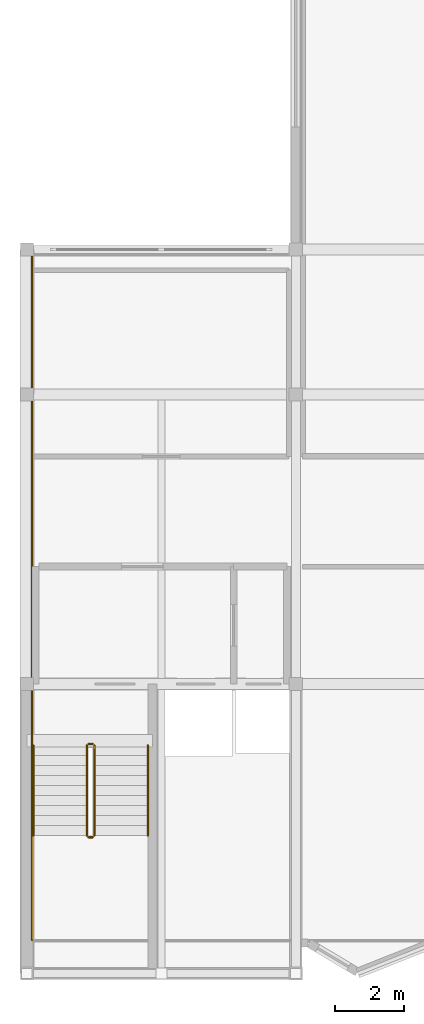
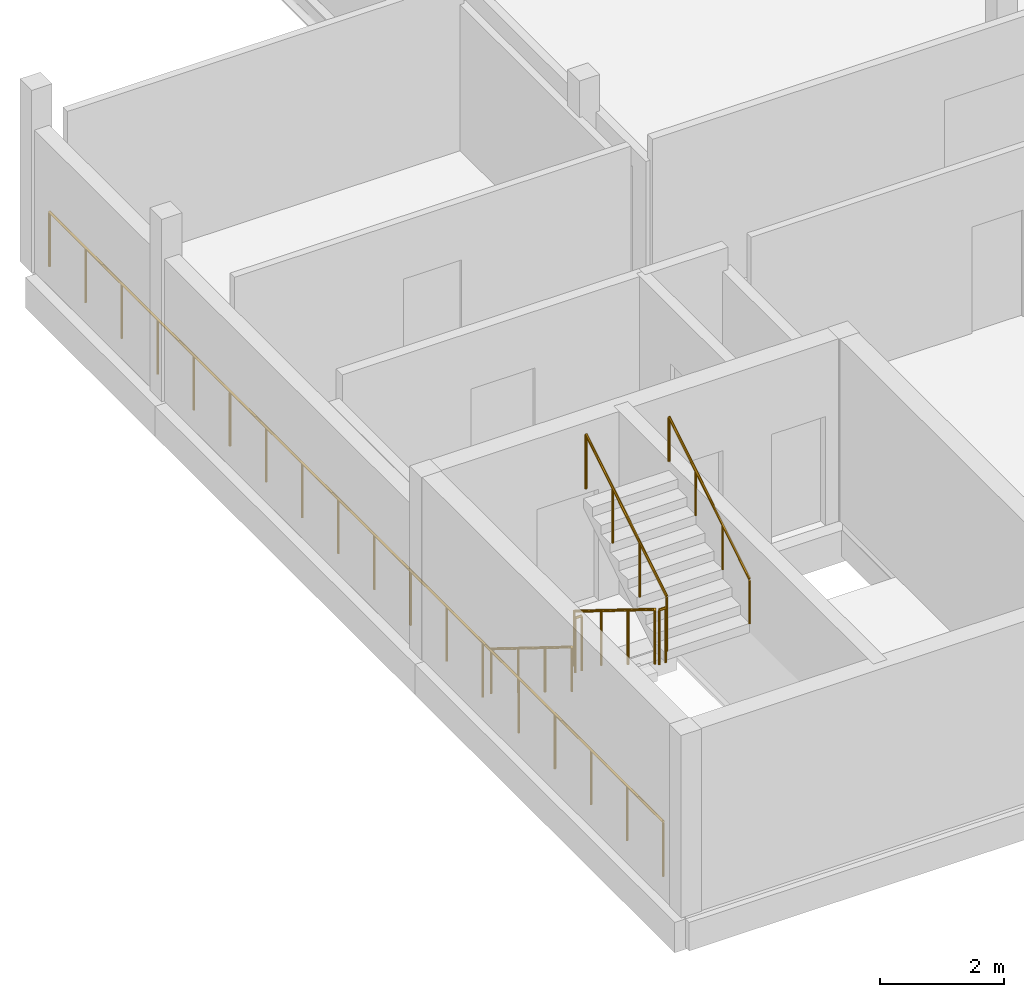
# One storey, part 8 of 11: 7 railings.
"""IFC4 building model written with IfcOpenShell, lengths in metres."""

from ifc_helpers import new_model, si_unit, direction, frame, origin, origin_2d, place, context, subcontext, project, spatial, circle, extrude, material, type_object, element, save


model = new_model("IFC4")

# Units and contexts
model_context = context("Model", 3, precision=1e-05, world=origin(), true_north=direction((0.0, 1.0)))
body_context = subcontext(model_context, "Body", "Model", "MODEL_VIEW")
ifc_project = project(units=[si_unit("LENGTHUNIT", "METRE"), si_unit("AREAUNIT", "SQUARE_METRE"), si_unit("VOLUMEUNIT", "CUBIC_METRE"), si_unit("PLANEANGLEUNIT", "RADIAN"), si_unit("MASSUNIT", "GRAM", prefix="KILO")], contexts=[model_context])

# Site, building, storey
site_placement = place(None, origin())
site = spatial("IfcSite", under=ifc_project, at=site_placement, CompositionType="ELEMENT")
building_placement = place(site_placement, origin())
building = spatial("IfcBuilding", under=site, at=building_placement, Name="Vharandega Faculty of Natural Sciences", CompositionType="ELEMENT")
storey_placement = place(building_placement, frame((0.0, 0.0, 36.0)))
storey = spatial("IfcBuildingStorey", under=building, at=storey_placement, Name="L09", CompositionType="ELEMENT", Elevation=36.0)

# Railings
ifc_material_1 = material(Name="Brushed stainless steel handrail", Category="steel")
railing_type_1 = type_object("IfcRailingType", Name="Stair Tubular Handrail 900", PredefinedType="HANDRAIL", material=ifc_material_1)
railing_1_placement = place(storey_placement, frame((114.989990234375, 70.610107421875, 0.179931640625)))
element("IfcRailing", 1, at=railing_1_placement, inside=storey, type_object=railing_type_1, Name="L09 ST1 stair handrail 1", PredefinedType="HANDRAIL", context=body_context, shape_type="SweptSolid", body=[
    extrude(circle(Radius=0.02392578125, at=origin_2d()), frame((0.0, 0.0, 0.8759765625), z_axis=(0.0, -0.849632798774, 0.527374731332), x_axis=(1.0, 0.0, 0.0)), (0.0, 0.0, 1.0), 3.072021484375),
    extrude(circle(Radius=0.02099609375, at=origin_2d()), origin(), (0.0, 0.0, 1.0), 0.851806640625),
    extrude(circle(Radius=0.02099609375, at=origin_2d()), frame((0.0, -0.8701171875, 0.5400390625)), (0.0, 0.0, 1.0), 0.851806640625),
    extrude(circle(Radius=0.02099609375, at=origin_2d()), frame((0.0, -1.739990234375, 1.080078125)), (0.0, 0.0, 1.0), 0.851806640625),
    extrude(circle(Radius=0.02099609375, at=origin_2d()), frame((0.0, -2.610107421875, 1.6201171875)), (0.0, 0.0, 1.0), 0.851806640625),
])
railing_2_placement = place(storey_placement, frame((118.31005859375, 68.0, 1.97998046875)))
element("IfcRailing", 2, at=railing_2_placement, inside=storey, type_object=railing_type_1, Name="L09 ST1 stair handrail 2", PredefinedType="HANDRAIL", context=body_context, shape_type="SweptSolid", body=[
    extrude(circle(Radius=0.02392578125, at=origin_2d()), frame((0.0, 0.0, 0.8759765625), z_axis=(0.0, 0.849632798774, 0.527374731332), x_axis=(-1.0, 0.0, 0.0)), (0.0, 0.0, 1.0), 3.072021484375),
    extrude(circle(Radius=0.02099609375, at=origin_2d()), origin(), (0.0, 0.0, 1.0), 0.851806640625),
    extrude(circle(Radius=0.02099609375, at=origin_2d()), frame((0.0, 0.8701171875, 0.5400390625)), (0.0, 0.0, 1.0), 0.851806640625),
    extrude(circle(Radius=0.02099609375, at=origin_2d()), frame((0.0, 1.739990234375, 1.080078125)), (0.0, 0.0, 1.0), 0.851806640625),
    extrude(circle(Radius=0.02099609375, at=origin_2d()), frame((0.0, 2.610107421875, 1.6201171875)), (0.0, 0.0, 1.0), 0.851806640625),
])
ifc_material_2 = material(Name="Painted steel stair guardrail", Category="steel")
railing_type_2 = type_object("IfcRailingType", Name="Stairwell Steel Guardrail 1100", PredefinedType="GUARDRAIL", material=ifc_material_2)
railing_3_placement = place(storey_placement, frame((116.5400390625, 70.610107421875, 0.179931640625)))
element("IfcRailing", 3, at=railing_3_placement, inside=storey, type_object=railing_type_2, Name="L09 ST1 stair guard 1", PredefinedType="GUARDRAIL", context=body_context, shape_type="SweptSolid", body=[
    extrude(circle(Radius=0.02392578125, at=origin_2d()), frame((0.0, 0.0, 1.076171875), z_axis=(0.0, -0.849632798774, 0.527374731332), x_axis=(1.0, 0.0, 0.0)), (0.0, 0.0, 1.0), 3.072021484375),
    extrude(circle(Radius=0.02099609375, at=origin_2d()), origin(), (0.0, 0.0, 1.0), 1.052001953125),
    extrude(circle(Radius=0.02099609375, at=origin_2d()), frame((0.0, -0.8701171875, 0.5400390625)), (0.0, 0.0, 1.0), 1.052001953125),
    extrude(circle(Radius=0.02099609375, at=origin_2d()), frame((0.0, -1.739990234375, 1.080078125)), (0.0, 0.0, 1.0), 1.052001953125),
    extrude(circle(Radius=0.02099609375, at=origin_2d()), frame((0.0, -2.610107421875, 1.6201171875)), (0.0, 0.0, 1.0), 1.052001953125),
])
railing_4_placement = place(storey_placement, frame((116.590087890625, 67.949951171875, 1.800048828125)))
element("IfcRailing", 4, at=railing_4_placement, inside=storey, type_object=railing_type_2, Name="L09 ST1 stair guard 2", PredefinedType="GUARDRAIL", context=body_context, shape_type="SweptSolid", body=[
    extrude(circle(Radius=0.02392578125, at=origin_2d()), frame((0.0, 0.0, 1.076171875), z_axis=(1.0, 0.0, 0.0), x_axis=(0.0, 1.0, 0.0)), (0.0, 0.0, 1.0), 0.119873046875),
    extrude(circle(Radius=0.02099609375, at=origin_2d()), origin(), (0.0, 0.0, 1.0), 1.052001953125),
    extrude(circle(Radius=0.02099609375, at=origin_2d()), frame((0.119873046875, 0.0, 0.0)), (0.0, 0.0, 1.0), 1.052001953125),
])
railing_5_placement = place(storey_placement, frame((116.760009765625, 68.0, 1.97998046875)))
element("IfcRailing", 5, at=railing_5_placement, inside=storey, type_object=railing_type_2, Name="L09 ST1 stair guard 3", PredefinedType="GUARDRAIL", context=body_context, shape_type="SweptSolid", body=[
    extrude(circle(Radius=0.02392578125, at=origin_2d()), frame((0.0, 0.0, 1.076171875), z_axis=(0.0, 0.849632798774, 0.527374731332), x_axis=(-1.0, 0.0, 0.0)), (0.0, 0.0, 1.0), 3.072021484375),
    extrude(circle(Radius=0.02099609375, at=origin_2d()), origin(), (0.0, 0.0, 1.0), 1.052001953125),
    extrude(circle(Radius=0.02099609375, at=origin_2d()), frame((0.0, 0.8701171875, 0.5400390625)), (0.0, 0.0, 1.0), 1.052001953125),
    extrude(circle(Radius=0.02099609375, at=origin_2d()), frame((0.0, 1.739990234375, 1.080078125)), (0.0, 0.0, 1.0), 1.052001953125),
    extrude(circle(Radius=0.02099609375, at=origin_2d()), frame((0.0, 2.610107421875, 1.6201171875)), (0.0, 0.0, 1.0), 1.052001953125),
])
railing_6_placement = place(storey_placement, frame((116.590087890625, 70.659912109375, 0.0)))
element("IfcRailing", 6, at=railing_6_placement, inside=storey, type_object=railing_type_2, Name="L09 ST1 stair guard 4", PredefinedType="GUARDRAIL", context=body_context, shape_type="SweptSolid", body=[
    extrude(circle(Radius=0.02392578125, at=origin_2d()), frame((0.0, 0.0, 1.076171875), z_axis=(1.0, 0.0, 0.0), x_axis=(0.0, 1.0, 0.0)), (0.0, 0.0, 1.0), 0.119873046875),
    extrude(circle(Radius=0.02099609375, at=origin_2d()), origin(), (0.0, 0.0, 1.0), 1.052001953125),
    extrude(circle(Radius=0.02099609375, at=origin_2d()), frame((0.119873046875, 0.0, 0.0)), (0.0, 0.0, 1.0), 1.052001953125),
])
ifc_material_3 = material(Name="Galvanised painted steel balustrade", Category="steel")
railing_type_3 = type_object("IfcRailingType", Name="Terrace Steel Guardrail 1100", PredefinedType="GUARDRAIL", material=ifc_material_3)
railing_7_placement = place(storey_placement, frame((114.949951171875, 84.824951171875, 0.0)))
element("IfcRailing", 7, at=railing_7_placement, inside=storey, type_object=railing_type_3, Name="Perimeter Sill Guard L09 #6", PredefinedType="GUARDRAIL", context=body_context, shape_type="SweptSolid", body=[
    extrude(circle(Radius=0.02392578125, at=origin_2d()), frame((0.0, 0.0, 1.076171875), z_axis=(0.0, -1.0, 0.0), x_axis=(1.0, 0.0, 0.0)), (0.0, 0.0, 1.0), 19.849853515625),
    extrude(circle(Radius=0.02099609375, at=origin_2d()), origin(), (0.0, 0.0, 1.0), 1.052001953125),
    extrude(circle(Radius=0.02099609375, at=origin_2d()), frame((0.0, -1.167724609375, 0.0)), (0.0, 0.0, 1.0), 1.052001953125),
    extrude(circle(Radius=0.02099609375, at=origin_2d()), frame((0.0, -2.335205078125, 0.0)), (0.0, 0.0, 1.0), 1.052001953125),
    extrude(circle(Radius=0.02099609375, at=origin_2d()), frame((0.0, -3.5029296875, 0.0)), (0.0, 0.0, 1.0), 1.052001953125),
    extrude(circle(Radius=0.02099609375, at=origin_2d()), frame((0.0, -4.670654296875, 0.0)), (0.0, 0.0, 1.0), 1.052001953125),
    extrude(circle(Radius=0.02099609375, at=origin_2d()), frame((0.0, -5.838134765625, 0.0)), (0.0, 0.0, 1.0), 1.052001953125),
    extrude(circle(Radius=0.02099609375, at=origin_2d()), frame((0.0, -7.005859375, 0.0)), (0.0, 0.0, 1.0), 1.052001953125),
    extrude(circle(Radius=0.02099609375, at=origin_2d()), frame((0.0, -8.173583984375, 0.0)), (0.0, 0.0, 1.0), 1.052001953125),
    extrude(circle(Radius=0.02099609375, at=origin_2d()), frame((0.0, -9.341064453125, 0.0)), (0.0, 0.0, 1.0), 1.052001953125),
    extrude(circle(Radius=0.02099609375, at=origin_2d()), frame((0.0, -10.5087890625, 0.0)), (0.0, 0.0, 1.0), 1.052001953125),
    extrude(circle(Radius=0.02099609375, at=origin_2d()), frame((0.0, -11.67626953125, 0.0)), (0.0, 0.0, 1.0), 1.052001953125),
    extrude(circle(Radius=0.02099609375, at=origin_2d()), frame((0.0, -12.843994140625, 0.0)), (0.0, 0.0, 1.0), 1.052001953125),
    extrude(circle(Radius=0.02099609375, at=origin_2d()), frame((0.0, -14.01171875, 0.0)), (0.0, 0.0, 1.0), 1.052001953125),
    extrude(circle(Radius=0.02099609375, at=origin_2d()), frame((0.0, -15.17919921875, 0.0)), (0.0, 0.0, 1.0), 1.052001953125),
    extrude(circle(Radius=0.02099609375, at=origin_2d()), frame((0.0, -16.346923828125, 0.0)), (0.0, 0.0, 1.0), 1.052001953125),
    extrude(circle(Radius=0.02099609375, at=origin_2d()), frame((0.0, -17.5146484375, 0.0)), (0.0, 0.0, 1.0), 1.052001953125),
    extrude(circle(Radius=0.02099609375, at=origin_2d()), frame((0.0, -18.68212890625, 0.0)), (0.0, 0.0, 1.0), 1.052001953125),
    extrude(circle(Radius=0.02099609375, at=origin_2d()), frame((0.0, -19.849853515625, 0.0)), (0.0, 0.0, 1.0), 1.052001953125),
])

save(model, "model.ifc")
